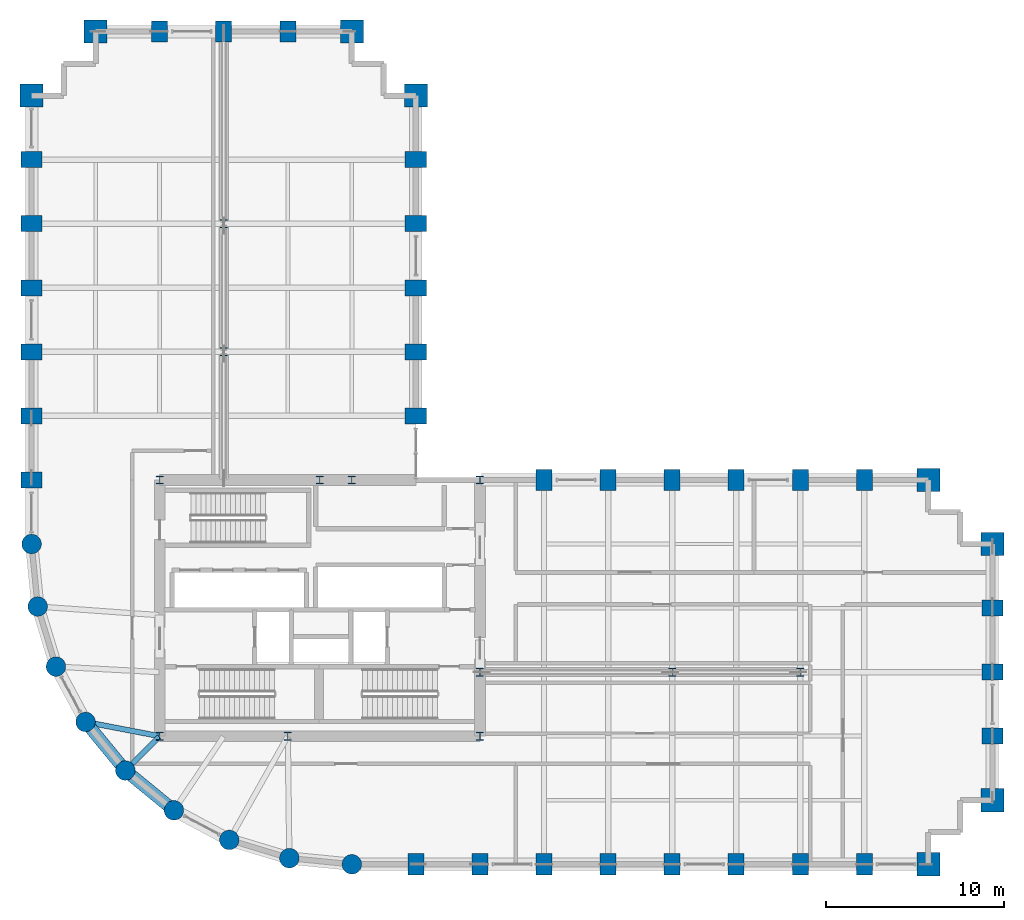
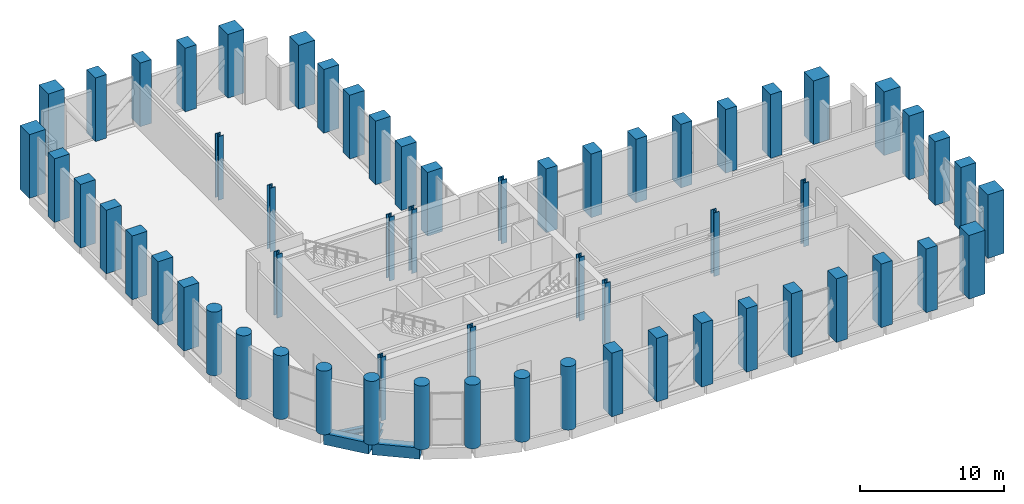
# One storey, part 1 of 27: 60 columns, 4 beams.
"""IFC4 building model written with IfcOpenShell, lengths in metres."""

from ifc_helpers import new_model, si_unit, direction, frame, origin, origin_2d, place, context, subcontext, project, spatial, rectangle, circle, i_section, extrude, material, material_profile, profile_set, type_object, element, save


model = new_model("IFC4")

# Units and contexts
model_context = context("Model", 3, precision=1e-05, world=origin(), true_north=direction((0.0, 1.0)))
body_context = subcontext(model_context, "Body", "Model", "MODEL_VIEW")
ifc_project = project(units=[si_unit("LENGTHUNIT", "METRE"), si_unit("AREAUNIT", "SQUARE_METRE"), si_unit("VOLUMEUNIT", "CUBIC_METRE"), si_unit("PLANEANGLEUNIT", "RADIAN"), si_unit("MASSUNIT", "GRAM", prefix="KILO")], contexts=[model_context])

# Site, building, storey
site_placement = place(None, origin())
site = spatial("IfcSite", under=ifc_project, at=site_placement, CompositionType="ELEMENT")
building_placement = place(site_placement, origin())
building = spatial("IfcBuilding", under=site, at=building_placement, Name="Solnavia Interchange Tower", CompositionType="ELEMENT")
storey_placement = place(building_placement, frame((0.0, 0.0, 74.699951171875)))
storey = spatial("IfcBuildingStorey", under=building, at=storey_placement, Name="L18", CompositionType="ELEMENT", Elevation=74.699951171875)

# Columns
ifc_material_1 = material(Name="Concrete C60/75", Category="concrete")
ifc_material_profile_1 = material_profile(ifc_material_1, rectangle(XDim=0.89990234375, YDim=1.199951171875, at=origin_2d()), Name="RC 1200x900")
ifc_profile_set_1 = profile_set([ifc_material_profile_1], Name="Concrete C60/75")
column_type_1 = type_object("IfcColumnType", Name="Col-RC-1200x900", PredefinedType="COLUMN", material=ifc_profile_set_1)
for number, where, z_axis, x_axis, name in (
    (1, (7.199951171875, 25.199951171875, 0.0), (0.0, 0.0, 1.0), (0.0, 1.0, 0.0), "COL-L18-02 Tower perim y column"),
    (2, (7.199951171875, 28.800048828125, 0.0), (0.0, 0.0, 1.0), (0.0, 1.0, 0.0), "COL-L18-03 Tower perim y column"),
    (3, (7.199951171875, 32.39990234375, 0.0), (0.0, 0.0, 1.0), (0.0, 1.0, 0.0), "COL-L18-04 Tower perim y column"),
    (4, (7.199951171875, 36.0, 0.0), (0.0, 0.0, 1.0), (0.0, 1.0, 0.0), "COL-L18-05 Tower perim y column"),
    (5, (7.199951171875, 39.60009765625, 0.0), (0.0, 0.0, 1.0), (0.0, 1.0, 0.0), "COL-L18-06 Tower perim y column"),
    (6, (7.199951171875, 43.199951171875, 0.0), (0.0, 0.0, 1.0), (0.0, 1.0, 0.0), "COL-L18-07 Tower perim y column"),
    (7, (14.39990234375, 50.39990234375, 0.0), (0.0, 0.0, 1.0), (1.0, 0.0, 0.0), "COL-L18-16 Tower perim x column"),
    (8, (18.0, 50.39990234375, 0.0), (0.0, 0.0, 1.0), (1.0, 0.0, 0.0), "COL-L18-20 Tower perim x column"),
    (9, (21.60009765625, 50.39990234375, 0.0), (0.0, 0.0, 1.0), (1.0, 0.0, 0.0), "COL-L18-23 Tower perim x column"),
    (10, (28.800048828125, 3.60009765625, 0.0), (0.0, 0.0, 1.0), (1.0, 0.0, 0.0), "COL-L18-29 Tower perim x column"),
    (11, (28.800048828125, 28.800048828125, 0.0), (0.0, 0.0, 1.0), (0.0, 1.0, 0.0), "COL-L18-30 Tower perim y column"),
    (12, (28.800048828125, 32.39990234375, 0.0), (0.0, 0.0, 1.0), (0.0, 1.0, 0.0), "COL-L18-31 Tower perim y column"),
    (13, (28.800048828125, 36.0, 0.0), (0.0, 0.0, 1.0), (0.0, 1.0, 0.0), "COL-L18-32 Tower perim y column"),
    (14, (28.800048828125, 39.60009765625, 0.0), (0.0, 0.0, 1.0), (0.0, 1.0, 0.0), "COL-L18-33 Tower perim y column"),
    (15, (28.800048828125, 43.199951171875, 0.0), (0.0, 0.0, 1.0), (0.0, 1.0, 0.0), "COL-L18-34 Tower perim y column"),
    (16, (32.39990234375, 3.60009765625, 0.0), (0.0, 0.0, 1.0), (1.0, 0.0, 0.0), "COL-L18-36 Tower perim x column"),
    (17, (36.0, 3.60009765625, 0.0), (0.0, 0.0, 1.0), (1.0, 0.0, 0.0), "COL-L18-40 Tower perim x column"),
    (18, (36.0, 25.199951171875, 0.0), (0.0, 0.0, 1.0), (1.0, 0.0, 0.0), "COL-L18-41 Tower perim x column"),
    (19, (39.60009765625, 3.60009765625, 0.0), (0.0, 0.0, 1.0), (1.0, 0.0, 0.0), "COL-L18-42 Tower perim x column"),
    (20, (39.60009765625, 25.199951171875, 0.0), (0.0, 0.0, 1.0), (1.0, 0.0, 0.0), "COL-L18-43 Tower perim x column"),
    (21, (43.199951171875, 3.60009765625, 0.0), (0.0, 0.0, 1.0), (1.0, 0.0, 0.0), "COL-L18-44 Tower perim x column"),
    (22, (43.199951171875, 25.199951171875, 0.0), (0.0, 0.0, 1.0), (1.0, 0.0, 0.0), "COL-L18-46 Tower perim x column"),
    (23, (46.800048828125, 3.60009765625, 0.0), (0.0, 0.0, 1.0), (1.0, 0.0, 0.0), "COL-L18-47 Tower perim x column"),
    (24, (46.800048828125, 25.199951171875, 0.0), (0.0, 0.0, 1.0), (1.0, 0.0, 0.0), "COL-L18-48 Tower perim x column"),
    (25, (50.39990234375, 3.60009765625, 0.0), (0.0, 0.0, 1.0), (1.0, 0.0, 0.0), "COL-L18-49 Tower perim x column"),
    (26, (50.39990234375, 25.199951171875, 0.0), (0.0, 0.0, 1.0), (1.0, 0.0, 0.0), "COL-L18-51 Tower perim x column"),
    (27, (54.0, 3.60009765625, 0.0), (0.0, 0.0, 1.0), (1.0, 0.0, 0.0), "COL-L18-52 Tower perim x column"),
    (28, (54.0, 25.199951171875, 0.0), (0.0, 0.0, 1.0), (1.0, 0.0, 0.0), "COL-L18-53 Tower perim x column"),
    (29, (61.199951171875, 10.800048828125, 0.0), (0.0, 0.0, 1.0), (0.0, 1.0, 0.0), "COL-L18-57 Tower perim y column"),
    (30, (61.199951171875, 14.39990234375, 0.0), (0.0, 0.0, 1.0), (0.0, 1.0, 0.0), "COL-L18-58 Tower perim y column"),
    (31, (61.199951171875, 18.0, 0.0), (0.0, 0.0, 1.0), (0.0, 1.0, 0.0), "COL-L18-59 Tower perim y column"),
):
    element("IfcColumn", number, at=place(storey_placement, frame(where, z_axis=z_axis, x_axis=x_axis)), inside=storey, type_object=column_type_1, Name=name, PredefinedType="COLUMN", context=body_context, shape_type="SweptSolid", body=[
        extrude(rectangle(XDim=0.89990234375, YDim=1.199951171875, at=origin_2d()), origin(), (0.0, 0.0, 1.0), 5.400146484375),
    ])
ifc_material_profile_2 = material_profile(ifc_material_1, rectangle(XDim=1.300048828125, YDim=1.300048828125, at=origin_2d()), Name="RC 1300x1300")
ifc_profile_set_2 = profile_set([ifc_material_profile_2], Name="Concrete C60/75")
column_type_2 = type_object("IfcColumnType", Name="Col-RC-1300x1300", PredefinedType="COLUMN", material=ifc_profile_set_2)
for number, where, z_axis, x_axis, name in (
    (32, (7.199951171875, 46.800048828125, 0.0), (0.0, 0.0, 1.0), (0.0, 1.0, 0.0), "COL-L18-08 Tower corner column"),
    (33, (10.800048828125, 50.39990234375, 0.0), (0.0, 0.0, 1.0), (1.0, 0.0, 0.0), "COL-L18-12 Tower corner column"),
    (34, (25.199951171875, 50.39990234375, 0.0), (0.0, 0.0, 1.0), (1.0, 0.0, 0.0), "COL-L18-28 Tower corner column"),
    (35, (28.800048828125, 46.800048828125, 0.0), (0.0, 0.0, 1.0), (0.0, 1.0, 0.0), "COL-L18-35 Tower corner column"),
    (36, (57.60009765625, 3.60009765625, 0.0), (0.0, 0.0, 1.0), (1.0, 0.0, 0.0), "COL-L18-54 Tower corner column"),
    (37, (57.60009765625, 25.199951171875, 0.0), (0.0, 0.0, 1.0), (1.0, 0.0, 0.0), "COL-L18-55 Tower corner column"),
    (38, (61.199951171875, 7.199951171875, 0.0), (0.0, 0.0, 1.0), (1.0, 0.0, 0.0), "COL-L18-56 Tower corner column"),
    (39, (61.199951171875, 21.60009765625, 0.0), (0.0, 0.0, 1.0), (0.0, 1.0, 0.0), "COL-L18-60 Tower corner column"),
):
    element("IfcColumn", number, at=place(storey_placement, frame(where, z_axis=z_axis, x_axis=x_axis)), inside=storey, type_object=column_type_2, Name=name, PredefinedType="COLUMN", context=body_context, shape_type="SweptSolid", body=[
        extrude(rectangle(XDim=1.300048828125, YDim=1.300048828125, at=origin_2d()), origin(), (0.0, 0.0, 1.0), 5.400146484375),
    ])
ifc_material_profile_3 = material_profile(ifc_material_1, circle(Radius=0.550048828125, at=origin_2d()), Name="RC D1100")
ifc_profile_set_3 = profile_set([ifc_material_profile_3], Name="Concrete C60/75")
column_type_3 = type_object("IfcColumnType", Name="Col-RC-D1100", PredefinedType="COLUMN", material=ifc_profile_set_3)
for number, where, z_axis, x_axis, name in (
    (40, (7.199951171875, 21.60009765625, 0.0), (0.0, 0.0, 1.0), (1.0, 0.0, 0.0), "COL-L18-01 Tower drum column"),
    (41, (7.5458984375, 18.087890625, 0.0), (0.0, 0.0, 1.0), (1.0, 0.0, 0.0), "COL-L18-09 Tower drum column"),
    (42, (8.570068359375, 14.7119140625, 0.0), (0.0, 0.0, 1.0), (1.0, 0.0, 0.0), "COL-L18-10 Tower drum column"),
    (43, (10.23388671875, 11.60009765625, 0.0), (0.0, 0.0, 1.0), (1.0, 0.0, 0.0), "COL-L18-11 Tower drum column"),
    (44, (12.471923828125, 8.8720703125, 0.0), (0.0, 0.0, 1.0), (1.0, 0.0, 0.0), "COL-L18-13 Tower drum column"),
    (45, (15.199951171875, 6.634033203125, 0.0), (0.0, 0.0, 1.0), (1.0, 0.0, 0.0), "COL-L18-17 Tower drum column"),
    (46, (18.31201171875, 4.969970703125, 0.0), (0.0, 0.0, 1.0), (1.0, 0.0, 0.0), "COL-L18-21 Tower drum column"),
    (47, (21.68798828125, 3.946044921875, 0.0), (0.0, 0.0, 1.0), (1.0, 0.0, 0.0), "COL-L18-24 Tower drum column"),
    (48, (25.199951171875, 3.60009765625, 0.0), (0.0, 0.0, 1.0), (1.0, 0.0, 0.0), "COL-L18-26 Tower drum column"),
):
    element("IfcColumn", number, at=place(storey_placement, frame(where, z_axis=z_axis, x_axis=x_axis)), inside=storey, type_object=column_type_3, Name=name, PredefinedType="COLUMN", context=body_context, shape_type="SweptSolid", body=[
        extrude(circle(Radius=0.550048828125, at=origin_2d()), origin(), (0.0, 0.0, 1.0), 5.400146484375),
    ])
ifc_material_2 = material(Name="Steel S355", Category="steel")
ifc_material_profile_4 = material_profile(ifc_material_2, i_section(OverallWidth=0.424072265625, OverallDepth=0.467041015625, WebThickness=0.032958984375, FlangeThickness=0.053466796875, FilletRadius=0.014892578125, at=origin_2d()), Name="HD 400x509")
ifc_profile_set_4 = profile_set([ifc_material_profile_4], Name="Steel S355")
column_type_4 = type_object("IfcColumnType", Name="Col-Steel-HD400x509", PredefinedType="COLUMN", material=ifc_profile_set_4)
for number, where, z_axis, x_axis, name in (
    (49, (14.39990234375, 10.800048828125, 0.0), (0.0, 0.0, 1.0), (1.0, 0.0, 0.0), "COL-L18-14 Tower interior column"),
    (50, (14.39990234375, 25.199951171875, 0.0), (0.0, 0.0, 1.0), (1.0, 0.0, 0.0), "COL-L18-15 Tower interior column"),
    (51, (18.0, 32.39990234375, 0.0), (0.0, 0.0, 1.0), (1.0, 0.0, 0.0), "COL-L18-18 Tower interior column"),
    (52, (18.0, 39.60009765625, 0.0), (0.0, 0.0, 1.0), (1.0, 0.0, 0.0), "COL-L18-19 Tower interior column"),
    (53, (21.60009765625, 10.800048828125, 0.0), (0.0, 0.0, 1.0), (1.0, 0.0, 0.0), "COL-L18-22 Tower interior column"),
    (54, (23.39990234375, 25.199951171875, 0.0), (0.0, 0.0, 1.0), (1.0, 0.0, 0.0), "COL-L18-25 Tower interior column"),
    (55, (25.199951171875, 25.199951171875, 0.0), (0.0, 0.0, 1.0), (1.0, 0.0, 0.0), "COL-L18-27 Tower interior column"),
    (56, (32.39990234375, 10.800048828125, 0.0), (0.0, 0.0, 1.0), (1.0, 0.0, 0.0), "COL-L18-37 Tower interior column"),
    (57, (32.39990234375, 14.39990234375, 0.0), (0.0, 0.0, 1.0), (1.0, 0.0, 0.0), "COL-L18-38 Tower interior column"),
    (58, (32.39990234375, 25.199951171875, 0.0), (0.0, 0.0, 1.0), (1.0, 0.0, 0.0), "COL-L18-39 Tower interior column"),
    (59, (43.199951171875, 14.39990234375, 0.0), (0.0, 0.0, 1.0), (1.0, 0.0, 0.0), "COL-L18-45 Tower interior column"),
    (60, (50.39990234375, 14.39990234375, 0.0), (0.0, 0.0, 1.0), (1.0, 0.0, 0.0), "COL-L18-50 Tower interior column"),
):
    element("IfcColumn", number, at=place(storey_placement, frame(where, z_axis=z_axis, x_axis=x_axis)), inside=storey, type_object=column_type_4, Name=name, PredefinedType="COLUMN", context=body_context, shape_type="SweptSolid", body=[
        extrude(i_section(OverallWidth=0.424072265625, OverallDepth=0.467041015625, WebThickness=0.032958984375, FlangeThickness=0.053466796875, FilletRadius=0.014892578125, at=origin_2d()), origin(), (0.0, 0.0, 1.0), 5.400146484375),
    ])

# Beams
ifc_material_3 = material(Name="Steel S460", Category="steel")
ifc_material_profile_5 = material_profile(ifc_material_3, i_section(OverallWidth=0.300048828125, OverallDepth=0.550048828125, WebThickness=0.014892578125, FlangeThickness=0.029052734375, FilletRadius=0.027099609375, at=origin_2d()), Name="HEB 550")
ifc_profile_set_5 = profile_set([ifc_material_profile_5], Name="Steel S460")
beam_type_1 = type_object("IfcBeamType", Name="Beam-Girder-HEB550", PredefinedType="BEAM", material=ifc_profile_set_5)
beam_1_placement = place(storey_placement, frame((12.528564453125, 8.9287109375, -0.594970703125), z_axis=(0.707106781187, 0.707106781187, 0.0), x_axis=(-0.707106781187, 0.707106781187, 0.0)))
element("IfcBeam", 61, at=beam_1_placement, inside=storey, type_object=beam_type_1, Name="GRD-L18-DR25 Drum radial floor girder", PredefinedType="BEAM", context=body_context, shape_type="SweptSolid", body=[
    extrude(i_section(OverallWidth=0.300048828125, OverallDepth=0.550048828125, WebThickness=0.014892578125, FlangeThickness=0.029052734375, FilletRadius=0.027099609375, at=origin_2d()), origin(), (0.0, 0.0, 1.0), 2.6064453125),
])
ifc_material_profile_6 = material_profile(ifc_material_2, i_section(OverallWidth=0.300048828125, OverallDepth=0.489990234375, WebThickness=0.011962890625, FlangeThickness=0.02294921875, FilletRadius=0.027099609375, at=origin_2d()), Name="HEA 500")
ifc_profile_set_6 = profile_set([ifc_material_profile_6], Name="Steel S355")
beam_type_2 = type_object("IfcBeamType", Name="Beam-Primary-HEA500", PredefinedType="BEAM", material=ifc_profile_set_6)
beam_2_placement = place(storey_placement, frame((10.3125, 11.5849609375, -0.56494140625), z_axis=(0.982057527796, -0.188581579428, 0.0), x_axis=(0.188581579428, 0.982057527796, 0.0)))
element("IfcBeam", 62, at=beam_2_placement, inside=storey, type_object=beam_type_2, Name="GRD-L18-DR24 Drum radial floor girder", PredefinedType="BEAM", context=body_context, shape_type="SweptSolid", body=[
    extrude(i_section(OverallWidth=0.300048828125, OverallDepth=0.489990234375, WebThickness=0.011962890625, FlangeThickness=0.02294921875, FilletRadius=0.027099609375, at=origin_2d()), origin(), (0.0, 0.0, 1.0), 4.1220703125),
])
ifc_material_4 = material(Name="Concrete C50/60", Category="concrete")
ifc_material_profile_7 = material_profile(ifc_material_4, rectangle(XDim=0.699951171875, YDim=0.949951171875, at=origin_2d()), Name="RC 700x950")
ifc_profile_set_7 = profile_set([ifc_material_profile_7], Name="Concrete C50/60")
beam_type_3 = type_object("IfcBeamType", Name="Beam-Spandrel-RC700x950", PredefinedType="SPANDREL", material=ifc_profile_set_7)
for number, where, z_axis, x_axis, name in (
    (63, (10.28466796875, 11.5380859375, -0.474853515625), (0.634298841675, -0.773087950656, 0.0), (0.773087950656, 0.634298841675, 0.0), "SPB-L18-04 Framed-tube perimeter spandrel beam"),
    (64, (12.53369140625, 8.8212890625, -0.474853515625), (0.773152644452, -0.634219984214, 0.0), (0.634219984214, 0.773152644452, 0.0), "SPB-L18-05 Framed-tube perimeter spandrel beam"),
):
    element("IfcBeam", number, at=place(storey_placement, frame(where, z_axis=z_axis, x_axis=x_axis)), inside=storey, type_object=beam_type_3, Name=name, PredefinedType="SPANDREL", context=body_context, shape_type="SweptSolid", body=[
        extrude(rectangle(XDim=0.699951171875, YDim=0.949951171875, at=origin_2d()), origin(), (0.0, 0.0, 1.0), 3.36865234375),
    ])

save(model, "model.ifc")
